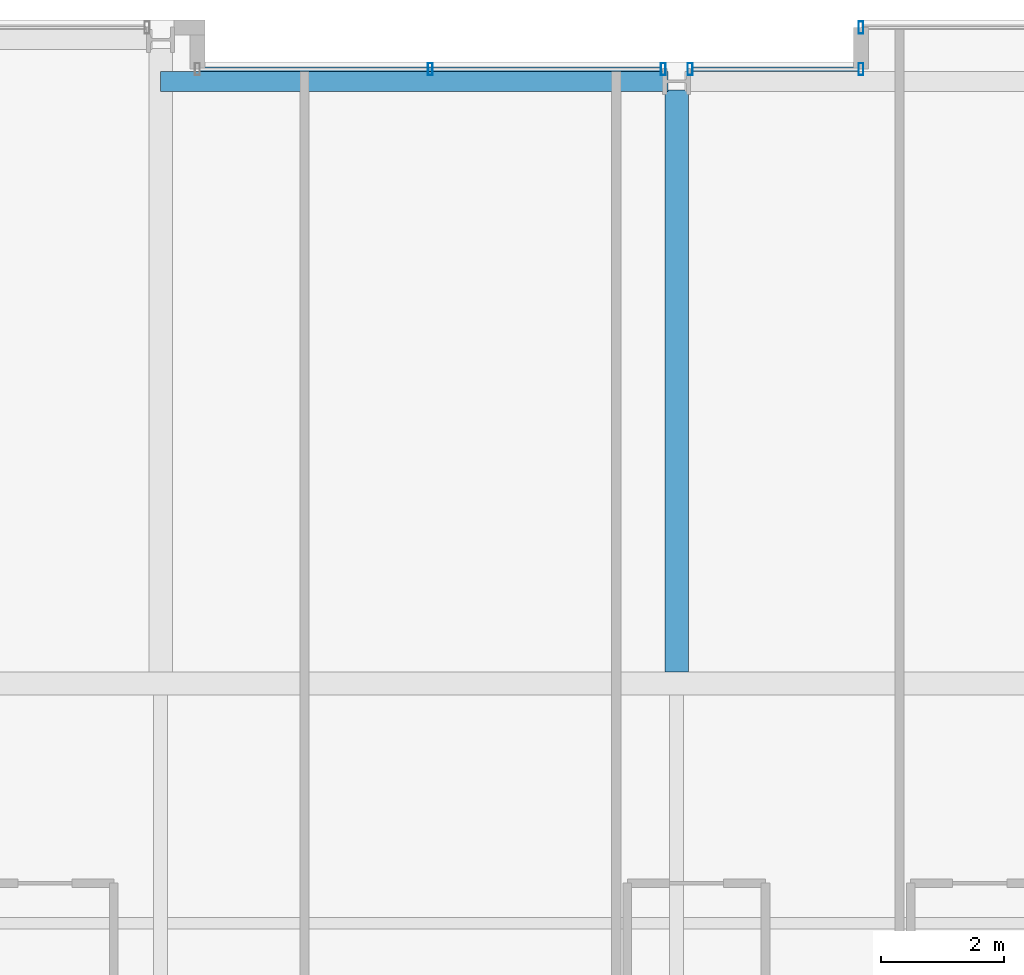
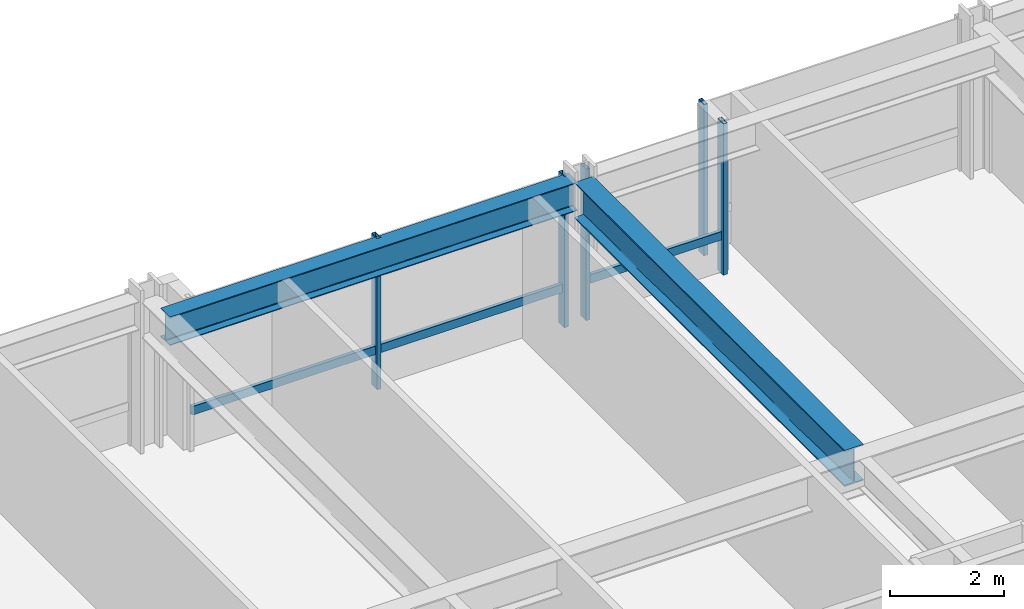
# One storey, part 22 of 34: 7 members, 2 beams, 3 elements without a shape of their own.
"""IFC4 building model written with IfcOpenShell, lengths in metres."""

from ifc_helpers import new_model, si_unit, direction, frame, origin, origin_2d, place, context, subcontext, project, spatial, hollow_rectangle, i_section, extrude, material, layer, layer_set, material_profile, profile_set, type_object, element, aggregate, save


model = new_model("IFC4")

# Units and contexts
model_context = context("Model", 3, precision=1e-05, world=origin(), true_north=direction((0.0, 1.0)))
body_context = subcontext(model_context, "Body", "Model", "MODEL_VIEW")
ifc_project = project(units=[si_unit("LENGTHUNIT", "METRE"), si_unit("AREAUNIT", "SQUARE_METRE"), si_unit("VOLUMEUNIT", "CUBIC_METRE"), si_unit("PLANEANGLEUNIT", "RADIAN"), si_unit("MASSUNIT", "GRAM", prefix="KILO")], contexts=[model_context])

# Site, building, storey
site_placement = place(None, origin())
site = spatial("IfcSite", under=ifc_project, at=site_placement, CompositionType="ELEMENT")
building_placement = place(site_placement, origin())
building = spatial("IfcBuilding", under=site, at=building_placement, Name="Drelvath Grand Hotel", CompositionType="ELEMENT")
storey_placement = place(building_placement, frame((0.0, 0.0, 91.800048828125)))
storey = spatial("IfcBuildingStorey", under=building, at=storey_placement, Name="L22", CompositionType="ELEMENT", Elevation=91.800048828125)

# Curtain wall, member
ifc_material_1 = material(Name="Champagne Bronze Anodised Aluminium Frame", Category="aluminium")
ifc_layer = layer(ifc_material_1, 0.199951171875)
ifc_layer_set = layer_set([ifc_layer], Name="Champagne Bronze Anodised Aluminium Frame")
curtain_wall_type = type_object("IfcCurtainWallType", Name="Stick Curtain Wall CW-03 Champagne Bronze Mid-Rise", PredefinedType="NOTDEFINED", material=ifc_layer_set)
curtain_wall_1_placement = place(storey_placement, origin())
curtain_wall_1 = element("IfcCurtainWall", 1, at=curtain_wall_1_placement, inside=storey, type_object=curtain_wall_type, Name="L22 CW-03 Curtain Wall CW03-L22-NM1", PredefinedType="NOTDEFINED")
ifc_material_profile_1 = material_profile(ifc_material_1, hollow_rectangle(XDim=0.074951171875, YDim=0.179931640625, WallThickness=0.0048828125, at=origin_2d()), Name="HSS180X75X5")
ifc_profile_set_1 = profile_set([ifc_material_profile_1], Name="Champagne Bronze Anodised Aluminium Frame")
member_type_1 = type_object("IfcMemberType", Name="Curtain Wall Horizontal Transom CW-03 HSS180X75X5", PredefinedType="USERDEFINED", material=ifc_profile_set_1)
member_1_placement = place(storey_placement, frame((-7.760009765625, 53.199951171875, 0.81005859375), z_axis=(1.0, 0.0, 0.0), x_axis=(0.0, 1.0, 0.0)))
member_1 = element("IfcMember", 2, at=member_1_placement, type_object=member_type_1, Name="CW03-L22-NM1 Sill Transom", ObjectType="TRANSOM", PredefinedType="USERDEFINED", context=body_context, shape_type="SweptSolid", body=[
    extrude(hollow_rectangle(XDim=0.074951171875, YDim=0.179931640625, WallThickness=0.0048828125, at=origin_2d()), origin(), (0.0, 0.0, 1.0), 7.50048828125),
])

curtain_wall_2_placement = place(storey_placement, origin())
curtain_wall_2 = element("IfcCurtainWall", 3, at=curtain_wall_2_placement, inside=storey, type_object=curtain_wall_type, Name="L22 CW-03 Curtain Wall CW03-L22-NM2", PredefinedType="NOTDEFINED")
member_2_placement = place(storey_placement, frame((0.259521484375, 53.199951171875, 0.81005859375), z_axis=(1.0, 0.0, 0.0), x_axis=(0.0, 1.0, 0.0)))
member_2 = element("IfcMember", 4, at=member_2_placement, type_object=member_type_1, Name="CW03-L22-NM2 Sill Transom", ObjectType="TRANSOM", PredefinedType="USERDEFINED", context=body_context, shape_type="SweptSolid", body=[
    extrude(hollow_rectangle(XDim=0.074951171875, YDim=0.179931640625, WallThickness=0.0048828125, at=origin_2d()), origin(), (0.0, 0.0, 1.0), 2.700439453125),
])

# Member
ifc_material_profile_2 = material_profile(ifc_material_1, hollow_rectangle(XDim=0.080078125, YDim=0.199951171875, WallThickness=0.0048828125, at=origin_2d()), Name="HSS200X80X5")
ifc_profile_set_2 = profile_set([ifc_material_profile_2], Name="Champagne Bronze Anodised Aluminium Frame")
member_type_2 = type_object("IfcMemberType", Name="Curtain Wall Vertical Mullion CW-03 HSS200X80X5", PredefinedType="MULLION", material=ifc_profile_set_2)
member_3_placement = place(storey_placement, frame((-4.009765625, 53.199951171875, 0.0), z_axis=(0.0, 0.0, 1.0), x_axis=(1.0, 0.0, 0.0)))
member_3 = element("IfcMember", 5, at=member_3_placement, type_object=member_type_2, Name="CW03-L22-NM1 Mullion 2", PredefinedType="MULLION", context=body_context, shape_type="SweptSolid", body=[
    extrude(hollow_rectangle(XDim=0.080078125, YDim=0.199951171875, WallThickness=0.0048828125, at=origin_2d()), origin(), (0.0, 0.0, 1.0), 3.239990234375),
])

member_4_placement = place(storey_placement, frame((-0.219482421875, 53.199951171875, 0.0), z_axis=(0.0, 0.0, 1.0), x_axis=(1.0, 0.0, 0.0)))
member_4 = element("IfcMember", 6, at=member_4_placement, type_object=member_type_2, Name="CW03-L22-NM1 Mullion 3", PredefinedType="MULLION", context=body_context, shape_type="SweptSolid", body=[
    extrude(hollow_rectangle(XDim=0.080078125, YDim=0.199951171875, WallThickness=0.0048828125, at=origin_2d()), origin(), (0.0, 0.0, 1.0), 3.239990234375),
])

aggregate(curtain_wall_1, [member_3, member_4, member_1])

member_5_placement = place(storey_placement, frame((0.219482421875, 53.199951171875, 0.0), z_axis=(0.0, 0.0, 1.0), x_axis=(1.0, 0.0, 0.0)))
member_5 = element("IfcMember", 7, at=member_5_placement, type_object=member_type_2, Name="CW03-L22-NM2 Mullion 1", PredefinedType="MULLION", context=body_context, shape_type="SweptSolid", body=[
    extrude(hollow_rectangle(XDim=0.080078125, YDim=0.199951171875, WallThickness=0.0048828125, at=origin_2d()), origin(), (0.0, 0.0, 1.0), 3.239990234375),
])

member_6_placement = place(storey_placement, frame((3.0, 53.199951171875, 0.0), z_axis=(0.0, 0.0, 1.0), x_axis=(1.0, 0.0, 0.0)))
member_6 = element("IfcMember", 8, at=member_6_placement, type_object=member_type_2, Name="CW03-L22-NM2 Mullion 2", PredefinedType="MULLION", context=body_context, shape_type="SweptSolid", body=[
    extrude(hollow_rectangle(XDim=0.080078125, YDim=0.199951171875, WallThickness=0.0048828125, at=origin_2d()), origin(), (0.0, 0.0, 1.0), 3.239990234375),
])

aggregate(curtain_wall_2, [member_5, member_6, member_2])

# Curtain wall, member
curtain_wall_3_placement = place(storey_placement, origin())
curtain_wall_3 = element("IfcCurtainWall", 9, at=curtain_wall_3_placement, inside=storey, type_object=curtain_wall_type, Name="L22 CW-03 Curtain Wall CW03-L22-NE1", PredefinedType="NOTDEFINED")
member_7_placement = place(storey_placement, frame((3.0, 53.8798828125, 0.0), z_axis=(0.0, 0.0, 1.0), x_axis=(1.0, 0.0, 0.0)))
member_7 = element("IfcMember", 10, at=member_7_placement, type_object=member_type_2, Name="CW03-L22-NE1 Mullion 1", PredefinedType="MULLION", context=body_context, shape_type="SweptSolid", body=[
    extrude(hollow_rectangle(XDim=0.080078125, YDim=0.199951171875, WallThickness=0.0048828125, at=origin_2d()), origin(), (0.0, 0.0, 1.0), 3.239990234375),
])
aggregate(curtain_wall_3, [member_7])

# Beams
ifc_material_2 = material(Name="Steel ASTM A992 Gr 50", Category="steel")
ifc_material_profile_3 = material_profile(ifc_material_2, i_section(OverallWidth=0.323974609375, OverallDepth=0.611083984375, WebThickness=0.0126953125, FlangeThickness=0.01904296875, FilletRadius=0.02197265625, at=origin_2d()), Name="W24X104")
ifc_profile_set_3 = profile_set([ifc_material_profile_3], Name="Steel ASTM A992 Gr 50")
beam_type_1 = type_object("IfcBeamType", Name="Perimeter Spandrel Beam W24X104", PredefinedType="SPANDREL", material=ifc_profile_set_3)
beam_1_placement = place(storey_placement, frame((-8.39990234375, 53.0, 2.9345703125), z_axis=(1.0, 0.0, 0.0), x_axis=(0.0, 1.0, 0.0)))
element("IfcBeam", 11, at=beam_1_placement, inside=storey, type_object=beam_type_1, Name="L22 Spandrel North Mid W", PredefinedType="SPANDREL", context=body_context, shape_type="SweptSolid", body=[
    extrude(i_section(OverallWidth=0.323974609375, OverallDepth=0.611083984375, WebThickness=0.0126953125, FlangeThickness=0.01904296875, FilletRadius=0.02197265625, at=origin_2d()), origin(), (0.0, 0.0, 1.0), 8.260009765625),
])
ifc_material_profile_4 = material_profile(ifc_material_2, i_section(OverallWidth=0.380615234375, OverallDepth=0.773193359375, WebThickness=0.0166015625, FlangeThickness=0.027099609375, FilletRadius=0.02490234375, at=origin_2d()), Name="W30X173")
ifc_profile_set_4 = profile_set([ifc_material_profile_4], Name="Steel ASTM A992 Gr 50")
beam_type_2 = type_object("IfcBeamType", Name="Primary Floor Girder W30X173", PredefinedType="BEAM", material=ifc_profile_set_4)
beam_2_placement = place(storey_placement, frame((0.0, 43.390380859375, 2.853271484375), z_axis=(0.0, 1.0, 0.0), x_axis=(-1.0, 0.0, 0.0)))
element("IfcBeam", 12, at=beam_2_placement, inside=storey, type_object=beam_type_2, Name="L22 North Wing Girder 5", PredefinedType="BEAM", context=body_context, shape_type="SweptSolid", body=[
    extrude(i_section(OverallWidth=0.380615234375, OverallDepth=0.773193359375, WebThickness=0.0166015625, FlangeThickness=0.027099609375, FilletRadius=0.02490234375, at=origin_2d()), origin(), (0.0, 0.0, 1.0), 9.4697265625),
])

save(model, "model.ifc")
